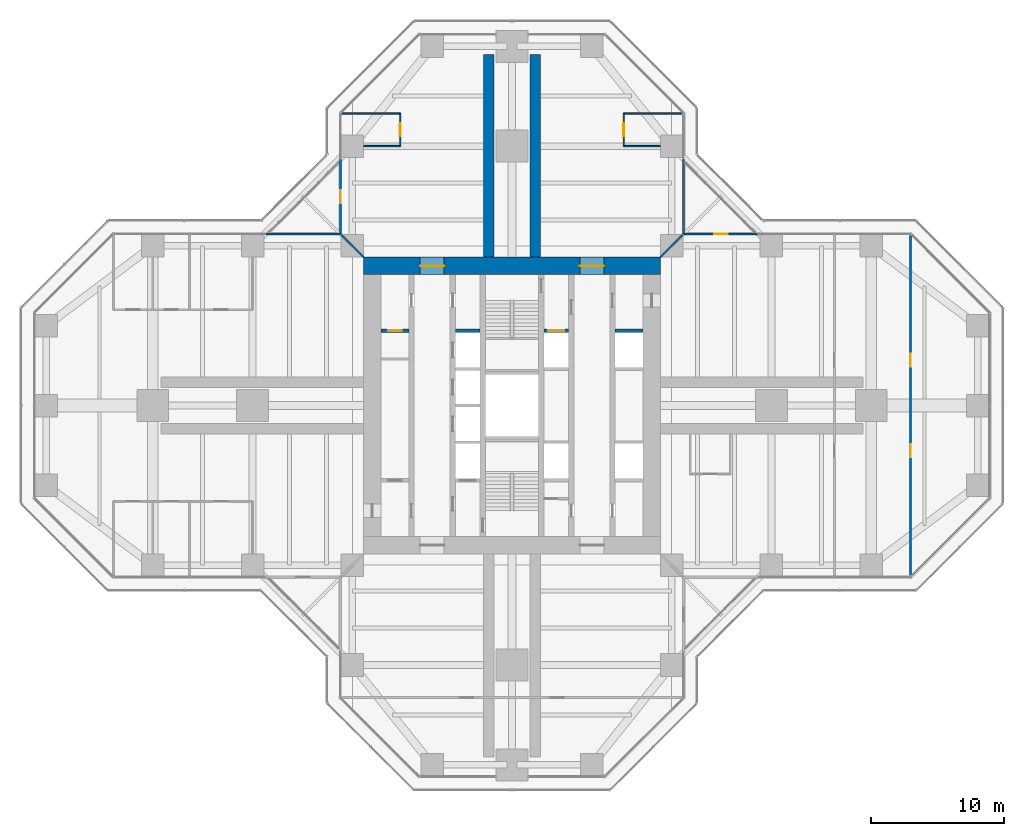
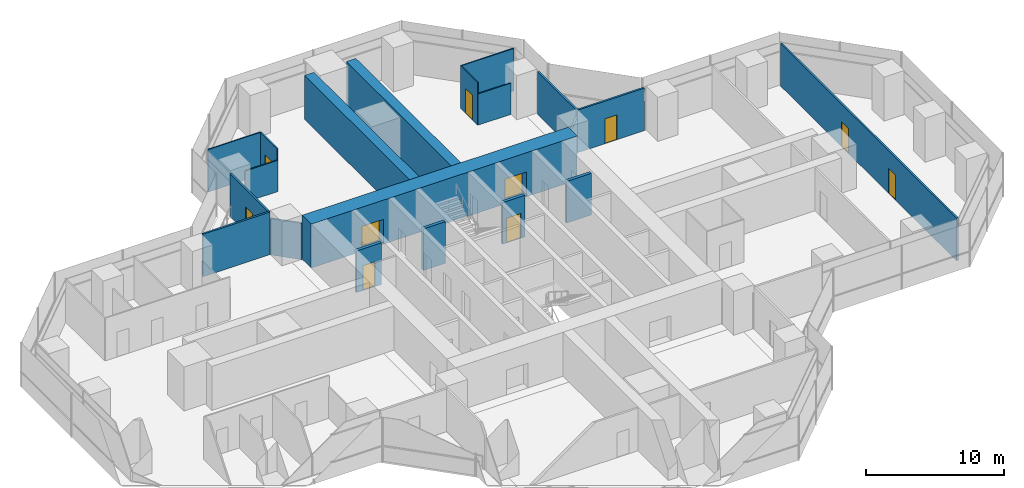
# One storey, part 17 of 20: 20 walls, 10 doors, 10 openings.
"""IFC4 building model written with IfcOpenShell, lengths in metres."""

from ifc_helpers import new_model, si_unit, direction, frame, frame_2d, origin, place, context, subcontext, project, spatial, rectangle, extrude, material, layer, layer_set, type_object, element, fill, save


model = new_model("IFC4")

# Units and contexts
model_context = context("Model", 3, precision=1e-05, world=origin(), true_north=direction((0.0, 1.0)))
body_context = subcontext(model_context, "Body", "Model", "MODEL_VIEW")
ifc_project = project(units=[si_unit("LENGTHUNIT", "METRE"), si_unit("AREAUNIT", "SQUARE_METRE"), si_unit("VOLUMEUNIT", "CUBIC_METRE"), si_unit("PLANEANGLEUNIT", "RADIAN"), si_unit("MASSUNIT", "GRAM", prefix="KILO")], contexts=[model_context])

# Site, building, storey
site_placement = place(None, origin())
site = spatial("IfcSite", under=ifc_project, at=site_placement, CompositionType="ELEMENT")
building_placement = place(site_placement, origin())
building = spatial("IfcBuilding", under=site, at=building_placement, Name="Mizan Broadcast Tower", CompositionType="ELEMENT")
storey_placement = place(building_placement, frame((0.0, 0.0, 171.0)))
storey = spatial("IfcBuildingStorey", under=building, at=storey_placement, Name="L39", CompositionType="ELEMENT", Elevation=171.0)

# Wall, openings, doors
ifc_material_1 = material(Name="Concrete C70/85", Category="concrete")
ifc_layer_1 = layer(ifc_material_1, 1.300048828125)
ifc_layer_set_1 = layer_set([ifc_layer_1], Name="Concrete C70/85")
wall_type_1 = type_object("IfcWallType", Name="CORE WALL 1300", PredefinedType="SHEAR", material=ifc_layer_set_1)
wall_1_placement = place(storey_placement, frame((-11.14990234375, 10.5, 0.0), z_axis=(0.0, 0.0, 1.0), x_axis=(1.0, 0.0, 0.0)))
wall_1 = element("IfcWall", 1, at=wall_1_placement, inside=storey, type_object=wall_type_1, Name="Core wall N L39", PredefinedType="SHEAR", context=body_context, shape_type="SweptSolid", body=[
    extrude(rectangle(XDim=22.2998046875, YDim=1.300048828125, at=frame_2d((11.14990234375, 0.0))), origin(), (0.0, 0.0, 1.0), 3.89990234375),
])
opening_1_placement = place(wall_1_placement, frame((4.25, 0.0, 0.0)))
opening_1 = element("IfcOpeningElement", 2, at=opening_1_placement, cuts=wall_1, Name="Opening D18F", PredefinedType="OPENING", context=body_context, shape_type="SweptSolid", body=[
    extrude(rectangle(XDim=1.800048828125, YDim=2.199951171875, at=frame_2d((0.89990234375, 1.10009765625))), frame((0.0, 0.659912109375, 0.0), z_axis=(0.0, -1.0, 0.0), x_axis=(1.0, 0.0, 0.0)), (0.0, 0.0, 1.0), 1.320068359375),
])
opening_2_placement = place(wall_1_placement, frame((16.25, 0.0, 0.0)))
opening_2 = element("IfcOpeningElement", 3, at=opening_2_placement, cuts=wall_1, Name="Opening D18F", PredefinedType="OPENING", context=body_context, shape_type="SweptSolid", body=[
    extrude(rectangle(XDim=1.800048828125, YDim=2.199951171875, at=frame_2d((0.89990234375, 1.10009765625))), frame((0.0, 0.659912109375, 0.0), z_axis=(0.0, -1.0, 0.0), x_axis=(1.0, 0.0, 0.0)), (0.0, 0.0, 1.0), 1.320068359375),
])
ifc_material_2 = material(Name="Steel door leaf in steel frame", Category="steel")
door_type_1 = type_object("IfcDoorType", Name="LOBBY DOUBLE DOOR 1800 FD90", OperationType="DOUBLE_DOOR_DOUBLE_SWING", PredefinedType="DOOR", material=ifc_material_2)
door_1_placement = place(opening_1_placement, origin())
door_1 = element("IfcDoor", 4, at=door_1_placement, inside=storey, type_object=door_type_1, Name="West lift lobby north door", OperationType="DOUBLE_DOOR_DOUBLE_SWING", OverallHeight=2.199951171875, OverallWidth=1.800048828125, PredefinedType="DOOR", context=body_context, shape_type="SweptSolid", body=[
    extrude(rectangle(XDim=1.800048828125, YDim=2.199951171875, at=frame_2d((0.89990234375, 1.10009765625))), frame((0.0, 0.02490234375, 0.0), z_axis=(0.0, -1.0, 0.0), x_axis=(1.0, 0.0, 0.0)), (0.0, 0.0, 1.0), 0.050048828125),
])
fill(opening_1, door_1)
door_2_placement = place(opening_2_placement, origin())
door_2 = element("IfcDoor", 5, at=door_2_placement, inside=storey, type_object=door_type_1, Name="East lift lobby north door", OperationType="DOUBLE_DOOR_DOUBLE_SWING", OverallHeight=2.199951171875, OverallWidth=1.800048828125, PredefinedType="DOOR", context=body_context, shape_type="SweptSolid", body=[
    extrude(rectangle(XDim=1.800048828125, YDim=2.199951171875, at=frame_2d((0.89990234375, 1.10009765625))), frame((0.0, 0.02490234375, 0.0), z_axis=(0.0, -1.0, 0.0), x_axis=(1.0, 0.0, 0.0)), (0.0, 0.0, 1.0), 0.050048828125),
])
fill(opening_2, door_2)

# Wall, opening, door
ifc_material_3 = material(Name="Aluminium framed glazed screen", Category="aluminium")
ifc_layer_2 = layer(ifc_material_3, 0.159912109375)
ifc_layer_set_2 = layer_set([ifc_layer_2], Name="Aluminium framed glazed screen")
wall_type_2 = type_object("IfcWallType", Name="GLAZED SCREEN WALL 160", PredefinedType="SOLIDWALL", material=ifc_layer_set_2)
wall_2_placement = place(storey_placement, frame((18.5, 12.89990234375, 0.0), z_axis=(0.0, 0.0, 1.0), x_axis=(-1.0, 0.0, 0.0)))
wall_2 = element("IfcWall", 6, at=wall_2_placement, inside=storey, type_object=wall_type_2, Name="Winter garden screen L39 E", PredefinedType="SOLIDWALL", context=body_context, shape_type="SweptSolid", body=[
    extrude(rectangle(XDim=5.60009765625, YDim=0.159912109375, at=frame_2d((2.800048828125, 0.0))), origin(), (0.0, 0.0, 1.0), 3.77001953125),
])
opening_3_placement = place(wall_2_placement, frame((2.300048828125, 0.0, 0.0)))
opening_3 = element("IfcOpeningElement", 7, at=opening_3_placement, cuts=wall_2, Name="Opening WGD", PredefinedType="OPENING", context=body_context, shape_type="SweptSolid", body=[
    extrude(rectangle(XDim=1.0, YDim=2.199951171875, at=frame_2d((0.5, 1.10009765625))), frame((0.0, 0.08984375, 0.0), z_axis=(0.0, -1.0, 0.0), x_axis=(1.0, 0.0, 0.0)), (0.0, 0.0, 1.0), 0.179931640625),
])
ifc_material_4 = material(Name="Aluminium framed glazed door", Category="aluminium")
door_type_2 = type_object("IfcDoorType", Name="WINTER GARDEN DOOR 1000 GLAZED", OperationType="SINGLE_SWING_LEFT", PredefinedType="DOOR", material=ifc_material_4)
door_3_placement = place(opening_3_placement, origin())
door_3 = element("IfcDoor", 8, at=door_3_placement, inside=storey, type_object=door_type_2, Name="Winter garden door L39 E", OperationType="SINGLE_SWING_RIGHT", OverallHeight=2.199951171875, OverallWidth=1.0, PredefinedType="DOOR", context=body_context, shape_type="SweptSolid", body=[
    extrude(rectangle(XDim=1.0, YDim=2.199951171875, at=frame_2d((0.5, 1.10009765625))), frame((0.0, 0.02490234375, 0.0), z_axis=(0.0, -1.0, 0.0), x_axis=(1.0, 0.0, 0.0)), (0.0, 0.0, 1.0), 0.050048828125),
])
fill(opening_3, door_3)

# Wall
wall_3_placement = place(storey_placement, frame((12.89990234375, 12.89990234375, 0.0), z_axis=(0.0, 0.0, 1.0), x_axis=(0.0, 1.0, 0.0)))
element("IfcWall", 9, at=wall_3_placement, inside=storey, type_object=wall_type_2, Name="Winter garden screen L39 N", PredefinedType="SOLIDWALL", context=body_context, shape_type="SweptSolid", body=[
    extrude(rectangle(XDim=5.60009765625, YDim=0.159912109375, at=frame_2d((2.800048828125, 0.0))), origin(), (0.0, 0.0, 1.0), 3.77001953125),
])

# Wall, opening, door
wall_4_placement = place(storey_placement, frame((-12.89990234375, 18.5, 0.0), z_axis=(0.0, 0.0, 1.0), x_axis=(0.0, -1.0, 0.0)))
wall_4 = element("IfcWall", 10, at=wall_4_placement, inside=storey, type_object=wall_type_2, Name="Winter garden screen L39 N", PredefinedType="SOLIDWALL", context=body_context, shape_type="SweptSolid", body=[
    extrude(rectangle(XDim=5.60009765625, YDim=0.159912109375, at=frame_2d((2.800048828125, 0.0))), origin(), (0.0, 0.0, 1.0), 3.77001953125),
])
opening_4_placement = place(wall_4_placement, frame((2.300048828125, 0.0, 0.0)))
opening_4 = element("IfcOpeningElement", 11, at=opening_4_placement, cuts=wall_4, Name="Opening WGD", PredefinedType="OPENING", context=body_context, shape_type="SweptSolid", body=[
    extrude(rectangle(XDim=1.0, YDim=2.199951171875, at=frame_2d((0.5, 1.10009765625))), frame((0.0, 0.08984375, 0.0), z_axis=(0.0, -1.0, 0.0), x_axis=(1.0, 0.0, 0.0)), (0.0, 0.0, 1.0), 0.179931640625),
])
door_4_placement = place(opening_4_placement, origin())
door_4 = element("IfcDoor", 12, at=door_4_placement, inside=storey, type_object=door_type_2, Name="Winter garden door L39 N", OperationType="SINGLE_SWING_RIGHT", OverallHeight=2.199951171875, OverallWidth=1.0, PredefinedType="DOOR", context=body_context, shape_type="SweptSolid", body=[
    extrude(rectangle(XDim=1.0, YDim=2.199951171875, at=frame_2d((0.5, 1.10009765625))), frame((0.0, 0.02490234375, 0.0), z_axis=(0.0, -1.0, 0.0), x_axis=(1.0, 0.0, 0.0)), (0.0, 0.0, 1.0), 0.050048828125),
])
fill(opening_4, door_4)

# Wall
wall_5_placement = place(storey_placement, frame((-12.89990234375, 12.89990234375, 0.0), z_axis=(0.0, 0.0, 1.0), x_axis=(-1.0, 0.0, 0.0)))
element("IfcWall", 13, at=wall_5_placement, inside=storey, type_object=wall_type_2, Name="Winter garden screen L39 W", PredefinedType="SOLIDWALL", context=body_context, shape_type="SweptSolid", body=[
    extrude(rectangle(XDim=5.60009765625, YDim=0.159912109375, at=frame_2d((2.800048828125, 0.0))), origin(), (0.0, 0.0, 1.0), 3.77001953125),
])

# Wall, opening, door
ifc_material_5 = material(Name="Concrete blockwork", Category="masonry")
ifc_layer_3 = layer(ifc_material_5, 0.25)
ifc_layer_set_3 = layer_set([ifc_layer_3], Name="Concrete blockwork")
wall_type_3 = type_object("IfcWallType", Name="LOBBY ENCLOSURE WALL 250", PredefinedType="SOLIDWALL", material=ifc_layer_set_3)
wall_6_placement = place(storey_placement, frame((-9.85009765625, 5.625, 0.0), z_axis=(0.0, 0.0, 1.0), x_axis=(1.0, 0.0, 0.0)))
wall_6 = element("IfcWall", 14, at=wall_6_placement, inside=storey, type_object=wall_type_3, Name="Lobby enclosure wall CORE/BW1N", PredefinedType="SOLIDWALL", context=body_context, shape_type="SweptSolid", body=[
    extrude(rectangle(XDim=2.10009765625, YDim=0.25, at=frame_2d((1.050048828125, 0.0))), origin(), (0.0, 0.0, 1.0), 3.699951171875),
])
opening_5_placement = place(wall_6_placement, frame((0.550048828125, 0.0, 0.0)))
opening_5 = element("IfcOpeningElement", 15, at=opening_5_placement, cuts=wall_6, Name="Opening D10F", PredefinedType="OPENING", context=body_context, shape_type="SweptSolid", body=[
    extrude(rectangle(XDim=1.0, YDim=2.199951171875, at=frame_2d((0.5, 1.10009765625))), frame((0.0, 0.135009765625, 0.0), z_axis=(0.0, -1.0, 0.0), x_axis=(1.0, 0.0, 0.0)), (0.0, 0.0, 1.0), 0.27001953125),
])
ifc_material_6 = material(Name="Steel door leaf in steel frame", Category="steel")
door_type_3 = type_object("IfcDoorType", Name="FIRE DOOR 1000 FD90", OperationType="SINGLE_SWING_LEFT", PredefinedType="DOOR", material=ifc_material_6)
door_5_placement = place(opening_5_placement, origin())
door_5 = element("IfcDoor", 16, at=door_5_placement, inside=storey, type_object=door_type_3, Name="Male staff shower room door", OperationType="SINGLE_SWING_RIGHT", OverallHeight=2.199951171875, OverallWidth=1.0, PredefinedType="DOOR", context=body_context, shape_type="SweptSolid", body=[
    extrude(rectangle(XDim=1.0, YDim=2.199951171875, at=frame_2d((0.5, 1.10009765625))), frame((0.0, 0.02490234375, 0.0), z_axis=(0.0, -1.0, 0.0), x_axis=(1.0, 0.0, 0.0)), (0.0, 0.0, 1.0), 0.050048828125),
])
fill(opening_5, door_5)

# Wall
wall_7_placement = place(storey_placement, frame((-4.25, 5.625, 0.0), z_axis=(0.0, 0.0, 1.0), x_axis=(1.0, 0.0, 0.0)))
element("IfcWall", 17, at=wall_7_placement, inside=storey, type_object=wall_type_3, Name="Lobby enclosure wall CORE/BW2N", PredefinedType="SOLIDWALL", context=body_context, shape_type="SweptSolid", body=[
    extrude(rectangle(XDim=1.85009765625, YDim=0.25, at=frame_2d((0.925048828125, 0.0))), origin(), (0.0, 0.0, 1.0), 3.699951171875),
])

# Wall, opening, door
wall_8_placement = place(storey_placement, frame((2.39990234375, 5.625, 0.0), z_axis=(0.0, 0.0, 1.0), x_axis=(1.0, 0.0, 0.0)))
wall_8 = element("IfcWall", 18, at=wall_8_placement, inside=storey, type_object=wall_type_3, Name="Lobby enclosure wall CORE/BE2N", PredefinedType="SOLIDWALL", context=body_context, shape_type="SweptSolid", body=[
    extrude(rectangle(XDim=1.85009765625, YDim=0.25, at=frame_2d((0.925048828125, 0.0))), origin(), (0.0, 0.0, 1.0), 3.699951171875),
])
opening_6_placement = place(wall_8_placement, frame((0.324951171875, 0.0, 0.0)))
opening_6 = element("IfcOpeningElement", 19, at=opening_6_placement, cuts=wall_8, Name="Opening LDF", PredefinedType="OPENING", context=body_context, shape_type="SweptSolid", body=[
    extrude(rectangle(XDim=1.199951171875, YDim=2.199951171875, at=frame_2d((0.60009765625, 1.10009765625))), frame((0.0, 0.135009765625, 0.0), z_axis=(0.0, -1.0, 0.0), x_axis=(1.0, 0.0, 0.0)), (0.0, 0.0, 1.0), 0.27001953125),
])
ifc_material_7 = material(Name="Steel door leaf in steel frame", Category="steel")
door_type_4 = type_object("IfcDoorType", Name="FIREFIGHTING LIFT LANDING DOOR 1200", OperationType="SLIDING_TO_LEFT", PredefinedType="DOOR", material=ifc_material_7)
door_6_placement = place(opening_6_placement, origin())
door_6 = element("IfcDoor", 20, at=door_6_placement, inside=storey, type_object=door_type_4, Name="Landing door FF2", OperationType="SLIDING_TO_LEFT", OverallHeight=2.199951171875, OverallWidth=1.199951171875, PredefinedType="DOOR", context=body_context, shape_type="SweptSolid", body=[
    extrude(rectangle(XDim=1.199951171875, YDim=2.199951171875, at=frame_2d((0.60009765625, 1.10009765625))), frame((0.0, 0.02490234375, 0.0), z_axis=(0.0, -1.0, 0.0), x_axis=(1.0, 0.0, 0.0)), (0.0, 0.0, 1.0), 0.050048828125),
])
fill(opening_6, door_6)

# Wall
wall_9_placement = place(storey_placement, frame((7.75, 5.625, 0.0), z_axis=(0.0, 0.0, 1.0), x_axis=(1.0, 0.0, 0.0)))
element("IfcWall", 21, at=wall_9_placement, inside=storey, type_object=wall_type_3, Name="Lobby enclosure wall CORE/BE1N", PredefinedType="SOLIDWALL", context=body_context, shape_type="SweptSolid", body=[
    extrude(rectangle(XDim=2.10009765625, YDim=0.25, at=frame_2d((1.050048828125, 0.0))), origin(), (0.0, 0.0, 1.0), 3.699951171875),
])

# Wall, openings, doors
ifc_material_8 = material(Name="Gypsum board on steel studs", Category="steel")
ifc_layer_4 = layer(ifc_material_8, 0.14990234375)
ifc_layer_set_4 = layer_set([ifc_layer_4], Name="Gypsum board on steel studs")
wall_type_4 = type_object("IfcWallType", Name="PARTITION 150", PredefinedType="PARTITIONING", material=ifc_layer_set_4)
wall_10_placement = place(storey_placement, frame((29.958984375, -12.786376953125, 0.0), z_axis=(0.0, 0.0, 1.0), x_axis=(0.0, 1.0, 0.0)))
wall_10 = element("IfcWall", 22, at=wall_10_placement, inside=storey, type_object=wall_type_4, Name="Partition PT/EX2", PredefinedType="PARTITIONING", context=body_context, shape_type="SweptSolid", body=[
    extrude(rectangle(XDim=25.57275390625, YDim=0.14990234375, at=frame_2d((12.786376953125, 0.0))), origin(), (0.0, 0.0, 1.0), 3.77001953125),
])
opening_7_placement = place(wall_10_placement, frame((15.6865234375, 0.0, 0.0)))
opening_7 = element("IfcOpeningElement", 23, at=opening_7_placement, cuts=wall_10, Name="Opening D10", PredefinedType="OPENING", context=body_context, shape_type="SweptSolid", body=[
    extrude(rectangle(XDim=1.0, YDim=2.199951171875, at=frame_2d((0.5, 1.10009765625))), frame((0.0, 0.0849609375, 0.0), z_axis=(0.0, -1.0, 0.0), x_axis=(1.0, 0.0, 0.0)), (0.0, 0.0, 1.0), 0.169921875),
])
opening_8_placement = place(wall_10_placement, frame((8.886474609375, 0.0, 0.0)))
opening_8 = element("IfcOpeningElement", 24, at=opening_8_placement, cuts=wall_10, Name="Opening D10", PredefinedType="OPENING", context=body_context, shape_type="SweptSolid", body=[
    extrude(rectangle(XDim=1.0, YDim=2.199951171875, at=frame_2d((0.5, 1.10009765625))), frame((0.0, 0.0849609375, 0.0), z_axis=(0.0, -1.0, 0.0), x_axis=(1.0, 0.0, 0.0)), (0.0, 0.0, 1.0), 0.169921875),
])
ifc_material_9 = material(Name="Timber door leaf in aluminium frame", Category="wood")
door_type_5 = type_object("IfcDoorType", Name="ROOM DOOR 1000", OperationType="SINGLE_SWING_LEFT", PredefinedType="DOOR", material=ifc_material_9)
door_7_placement = place(opening_7_placement, origin())
door_7 = element("IfcDoor", 25, at=door_7_placement, inside=storey, type_object=door_type_5, Name="Open office door", OperationType="SINGLE_SWING_RIGHT", OverallHeight=2.199951171875, OverallWidth=1.0, PredefinedType="DOOR", context=body_context, shape_type="SweptSolid", body=[
    extrude(rectangle(XDim=1.0, YDim=2.199951171875, at=frame_2d((0.5, 1.10009765625))), frame((0.0, 0.02490234375, 0.0), z_axis=(0.0, -1.0, 0.0), x_axis=(1.0, 0.0, 0.0)), (0.0, 0.0, 1.0), 0.050048828125),
])
fill(opening_7, door_7)
door_8_placement = place(opening_8_placement, origin())
door_8 = element("IfcDoor", 26, at=door_8_placement, inside=storey, type_object=door_type_5, Name="Open office door", OperationType="SINGLE_SWING_LEFT", OverallHeight=2.199951171875, OverallWidth=1.0, PredefinedType="DOOR", context=body_context, shape_type="SweptSolid", body=[
    extrude(rectangle(XDim=1.0, YDim=2.199951171875, at=frame_2d((0.5, 1.10009765625))), frame((0.0, 0.02490234375, 0.0), z_axis=(0.0, -1.0, 0.0), x_axis=(1.0, 0.0, 0.0)), (0.0, 0.0, 1.0), 0.050048828125),
])
fill(opening_8, door_8)

# Walls
for number, where, z_axis, x_axis, name in (
    (27, (11.14990234375, 11.14990234375, 0.0), (0.0, 0.0, 1.0), (0.707106781187, 0.707106781187, 0.0), "Partition PT/DGEN"),
    (28, (-11.14990234375, 11.14990234375, 0.0), (0.0, 0.0, 1.0), (-0.707106781187, 0.707106781187, 0.0), "Partition PT/DGWN"),
):
    element("IfcWall", number, at=place(storey_placement, frame(where, z_axis=z_axis, x_axis=x_axis)), inside=storey, type_object=wall_type_4, Name=name, PredefinedType="PARTITIONING", context=body_context, shape_type="SweptSolid", body=[
        extrude(rectangle(XDim=2.362060546875, YDim=0.14990234375, at=frame_2d((1.18115234375, 0.0))), origin(), (0.0, 0.0, 1.0), 3.219970703125),
    ])

# Wall, opening, door
ifc_material_10 = material(Name="Glazed aluminium partition on aluminium track", Category="aluminium")
ifc_layer_5 = layer(ifc_material_10, 0.10009765625)
ifc_layer_set_5 = layer_set([ifc_layer_5], Name="Glazed aluminium partition on aluminium track")
wall_type_5 = type_object("IfcWallType", Name="PARTITION GLAZED OFFICE FRONT 100", PredefinedType="PARTITIONING", material=ifc_layer_set_5)
wall_11_placement = place(storey_placement, frame((-8.39990234375, 19.5, 0.0), z_axis=(0.0, 0.0, 1.0), x_axis=(0.0, 1.0, 0.0)))
wall_11 = element("IfcWall", 29, at=wall_11_placement, inside=storey, type_object=wall_type_5, Name="Glazed office front PT/NCP0", PredefinedType="PARTITIONING", context=body_context, shape_type="SweptSolid", body=[
    extrude(rectangle(XDim=2.458984375, YDim=0.10009765625, at=frame_2d((1.2294921875, 0.0))), origin(), (0.0, 0.0, 1.0), 3.77001953125),
])
opening_9_placement = place(wall_11_placement, frame((0.7294921875, 0.0, 0.0)))
opening_9 = element("IfcOpeningElement", 30, at=opening_9_placement, cuts=wall_11, Name="Opening D10O", PredefinedType="OPENING", context=body_context, shape_type="SweptSolid", body=[
    extrude(rectangle(XDim=1.0, YDim=2.199951171875, at=frame_2d((0.5, 1.10009765625))), frame((0.0, 0.06005859375, 0.0), z_axis=(0.0, -1.0, 0.0), x_axis=(1.0, 0.0, 0.0)), (0.0, 0.0, 1.0), 0.1201171875),
])
ifc_material_11 = material(Name="Timber door leaf in aluminium frame", Category="wood")
door_type_6 = type_object("IfcDoorType", Name="OFFICE DOOR 1000 GLAZED", OperationType="SINGLE_SWING_LEFT", PredefinedType="DOOR", material=ifc_material_11)
door_9_placement = place(opening_9_placement, origin())
door_9 = element("IfcDoor", 31, at=door_9_placement, inside=storey, type_object=door_type_6, Name="Director's office door", OperationType="SINGLE_SWING_LEFT", OverallHeight=2.199951171875, OverallWidth=1.0, PredefinedType="DOOR", context=body_context, shape_type="SweptSolid", body=[
    extrude(rectangle(XDim=1.0, YDim=2.199951171875, at=frame_2d((0.5, 1.10009765625))), frame((0.0, 0.02490234375, 0.0), z_axis=(0.0, -1.0, 0.0), x_axis=(1.0, 0.0, 0.0)), (0.0, 0.0, 1.0), 0.050048828125),
])
fill(opening_9, door_9)

# Walls
wall_12_placement = place(storey_placement, frame((-8.39990234375, 19.5, 0.0), z_axis=(0.0, 0.0, 1.0), x_axis=(-1.0, 0.0, 0.0)))
element("IfcWall", 32, at=wall_12_placement, inside=storey, type_object=wall_type_5, Name="Glazed office front PT/NQP1950", PredefinedType="PARTITIONING", context=body_context, shape_type="SweptSolid", body=[
    extrude(rectangle(XDim=2.75, YDim=0.10009765625, at=frame_2d((1.375, 0.0))), origin(), (0.0, 0.0, 1.0), 2.77001953125),
])
wall_13_placement = place(storey_placement, frame((-8.39990234375, 21.958984375, 0.0), z_axis=(0.0, 0.0, 1.0), x_axis=(-1.0, 0.0, 0.0)))
element("IfcWall", 33, at=wall_13_placement, inside=storey, type_object=wall_type_5, Name="Glazed office front PT/NQP2196", PredefinedType="PARTITIONING", context=body_context, shape_type="SweptSolid", body=[
    extrude(rectangle(XDim=4.420166015625, YDim=0.10009765625, at=frame_2d((2.2099609375, 0.0))), origin(), (0.0, 0.0, 1.0), 3.77001953125),
])

# Wall, opening, door
wall_14_placement = place(storey_placement, frame((8.39990234375, 19.5, 0.0), z_axis=(0.0, 0.0, 1.0), x_axis=(0.0, 1.0, 0.0)))
wall_14 = element("IfcWall", 34, at=wall_14_placement, inside=storey, type_object=wall_type_5, Name="Glazed office front PT/NCN0", PredefinedType="PARTITIONING", context=body_context, shape_type="SweptSolid", body=[
    extrude(rectangle(XDim=2.458984375, YDim=0.10009765625, at=frame_2d((1.2294921875, 0.0))), origin(), (0.0, 0.0, 1.0), 3.77001953125),
])
opening_10_placement = place(wall_14_placement, frame((0.7294921875, 0.0, 0.0)))
opening_10 = element("IfcOpeningElement", 35, at=opening_10_placement, cuts=wall_14, Name="Opening D10O", PredefinedType="OPENING", context=body_context, shape_type="SweptSolid", body=[
    extrude(rectangle(XDim=1.0, YDim=2.199951171875, at=frame_2d((0.5, 1.10009765625))), frame((0.0, 0.06005859375, 0.0), z_axis=(0.0, -1.0, 0.0), x_axis=(1.0, 0.0, 0.0)), (0.0, 0.0, 1.0), 0.1201171875),
])
door_10_placement = place(opening_10_placement, origin())
door_10 = element("IfcDoor", 36, at=door_10_placement, inside=storey, type_object=door_type_6, Name="Quiet room door", OperationType="SINGLE_SWING_LEFT", OverallHeight=2.199951171875, OverallWidth=1.0, PredefinedType="DOOR", context=body_context, shape_type="SweptSolid", body=[
    extrude(rectangle(XDim=1.0, YDim=2.199951171875, at=frame_2d((0.5, 1.10009765625))), frame((0.0, 0.02490234375, 0.0), z_axis=(0.0, -1.0, 0.0), x_axis=(1.0, 0.0, 0.0)), (0.0, 0.0, 1.0), 0.050048828125),
])
fill(opening_10, door_10)

# Walls
wall_15_placement = place(storey_placement, frame((8.39990234375, 19.5, 0.0), z_axis=(0.0, 0.0, 1.0), x_axis=(1.0, 0.0, 0.0)))
element("IfcWall", 37, at=wall_15_placement, inside=storey, type_object=wall_type_5, Name="Glazed office front PT/NQN1950", PredefinedType="PARTITIONING", context=body_context, shape_type="SweptSolid", body=[
    extrude(rectangle(XDim=2.75, YDim=0.10009765625, at=frame_2d((1.375, 0.0))), origin(), (0.0, 0.0, 1.0), 2.77001953125),
])
wall_16_placement = place(storey_placement, frame((8.39990234375, 21.958984375, 0.0), z_axis=(0.0, 0.0, 1.0), x_axis=(1.0, 0.0, 0.0)))
element("IfcWall", 38, at=wall_16_placement, inside=storey, type_object=wall_type_5, Name="Glazed office front PT/NQN2196", PredefinedType="PARTITIONING", context=body_context, shape_type="SweptSolid", body=[
    extrude(rectangle(XDim=4.420166015625, YDim=0.10009765625, at=frame_2d((2.2099609375, 0.0))), origin(), (0.0, 0.0, 1.0), 3.77001953125),
])
ifc_material_12 = material(Name="Concrete C70/85", Category="concrete")
ifc_layer_6 = layer(ifc_material_12, 0.800048828125)
ifc_layer_set_6 = layer_set([ifc_layer_6], Name="Concrete C70/85")
wall_type_6 = type_object("IfcWallType", Name="SPINE WALL 800", PredefinedType="SHEAR", material=ifc_layer_set_6)
for number, where, z_axis, x_axis, name in (
    (39, (1.75, 11.14990234375, 0.0), (0.0, 0.0, 1.0), (0.0, 1.0, 0.0), "Spine wall NR L39"),
    (40, (-1.75, 11.14990234375, 0.0), (0.0, 0.0, 1.0), (0.0, 1.0, 0.0), "Spine wall NL L39"),
):
    element("IfcWall", number, at=place(storey_placement, frame(where, z_axis=z_axis, x_axis=x_axis)), inside=storey, type_object=wall_type_6, Name=name, PredefinedType="SHEAR", context=body_context, shape_type="SweptSolid", body=[
        extrude(rectangle(XDim=15.25, YDim=0.800048828125, at=frame_2d((7.625, 0.0))), origin(), (0.0, 0.0, 1.0), 3.89990234375),
    ])

save(model, "model.ifc")
